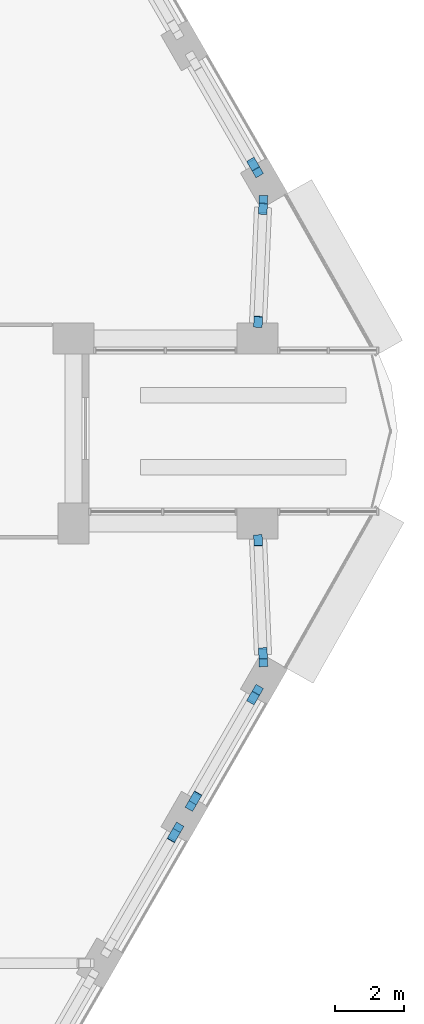
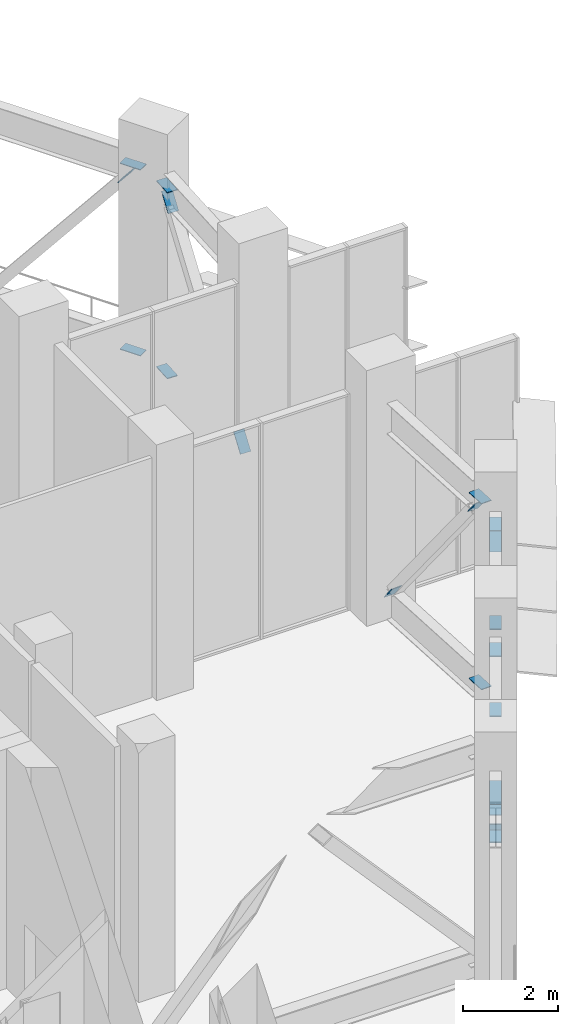
# One storey, part 13 of 19: 20 discrete accessories.
"""IFC4 building model written with IfcOpenShell, lengths in metres."""

from ifc_helpers import new_model, si_unit, direction, frame, origin, origin_2d, place, context, subcontext, project, spatial, rectangle, extrude, material, material_profile, profile_set, type_object, element, save


model = new_model("IFC4")

# Units and contexts
model_context = context("Model", 3, precision=1e-05, world=origin(), true_north=direction((0.0, 1.0)))
body_context = subcontext(model_context, "Body", "Model", "MODEL_VIEW")
ifc_project = project(units=[si_unit("LENGTHUNIT", "METRE"), si_unit("AREAUNIT", "SQUARE_METRE"), si_unit("VOLUMEUNIT", "CUBIC_METRE"), si_unit("PLANEANGLEUNIT", "RADIAN"), si_unit("MASSUNIT", "GRAM", prefix="KILO")], contexts=[model_context])

# Site, building, storey
site_placement = place(None, origin())
site = spatial("IfcSite", under=ifc_project, at=site_placement, CompositionType="ELEMENT")
building_placement = place(site_placement, origin())
building = spatial("IfcBuilding", under=site, at=building_placement, Name="Nakaniwa Court", CompositionType="ELEMENT")
storey_placement = place(building_placement, frame((0.0, 0.0, 219.60009765625)))
storey = spatial("IfcBuildingStorey", under=building, at=storey_placement, Name="S4", CompositionType="ELEMENT", Elevation=219.60009765625)

# Discrete accessories
ifc_material = material(Name="Steel Grade 350", Category="steel")
ifc_material_profile = material_profile(ifc_material, rectangle(XDim=0.25, YDim=0.02001953125, at=origin_2d()), Name="Truss end gusset plate 250x20")
ifc_profile_set = profile_set([ifc_material_profile], Name="Steel Grade 350")
discrete_accessory_type = type_object("IfcDiscreteAccessoryType", Name="Truss end gusset plate 250x20", PredefinedType="BRACKET", material=ifc_profile_set)
for number, where, z_axis, x_axis, name in (
    (1, (98.764404296875, 68.100830078125, 0.39599609375), (0.500131122175, 0.865949687125, 0.0), (-0.865949687125, 0.500131122175, 0.0), "Gusset plate GU-526"),
    (2, (98.764404296875, 68.100830078125, 5.19384765625), (0.500131122175, 0.865949687125, 0.0), (-0.865949687125, 0.500131122175, 0.0), "Gusset plate GU-528"),
):
    element("IfcDiscreteAccessory", number, at=place(storey_placement, frame(where, z_axis=z_axis, x_axis=x_axis)), inside=storey, type_object=discrete_accessory_type, Name=name, PredefinedType="BRACKET", context=body_context, shape_type="SweptSolid", body=[
        extrude(rectangle(XDim=0.25, YDim=0.02001953125, at=origin_2d()), origin(), (0.0, 0.0, 1.0), 0.499755859375),
    ])
for number, where, z_axis, x_axis, name in (
    (3, (98.73974609375, 68.05810546875, 0.904296875), (0.330624506873, 0.573342941017, -0.749643453544), (-0.866283845548, 0.499552098327, 0.0), "Gusset plate GU-530"),
    (4, (99.514404296875, 69.39990234375, 0.39599609375), (-0.499919672301, -0.866071776036, 0.0), (0.866071776036, -0.499919672301, 0.0), "Gusset plate GU-531"),
):
    element("IfcDiscreteAccessory", number, at=place(storey_placement, frame(where, z_axis=z_axis, x_axis=x_axis)), inside=storey, type_object=discrete_accessory_type, Name=name, PredefinedType="BRACKET", context=body_context, shape_type="SweptSolid", body=[
        extrude(rectangle(XDim=0.25, YDim=0.02001953125, at=origin_2d()), origin(), (0.0, 0.0, 1.0), 0.5),
    ])
discrete_accessory_1_placement = place(storey_placement, frame((101.083984375, 72.118408203125, 0.39599609375), z_axis=(0.500131122175, 0.865949687125, 0.0), x_axis=(-0.865949687125, 0.500131122175, 0.0)))
element("IfcDiscreteAccessory", 5, at=discrete_accessory_1_placement, inside=storey, type_object=discrete_accessory_type, Name="Gusset plate GU-532", PredefinedType="BRACKET", context=body_context, shape_type="SweptSolid", body=[
    extrude(rectangle(XDim=0.25, YDim=0.02001953125, at=origin_2d()), origin(), (0.0, 0.0, 1.0), 0.499755859375),
])
discrete_accessory_2_placement = place(storey_placement, frame((99.514404296875, 69.39990234375, 5.19384765625), z_axis=(-0.499919672301, -0.866071776036, 0.0), x_axis=(0.866071776036, -0.499919672301, 0.0)))
element("IfcDiscreteAccessory", 6, at=discrete_accessory_2_placement, inside=storey, type_object=discrete_accessory_type, Name="Gusset plate GU-533", PredefinedType="BRACKET", context=body_context, shape_type="SweptSolid", body=[
    extrude(rectangle(XDim=0.25, YDim=0.02001953125, at=origin_2d()), origin(), (0.0, 0.0, 1.0), 0.5),
])
discrete_accessory_3_placement = place(storey_placement, frame((101.083984375, 72.118408203125, 5.19384765625), z_axis=(0.500131122175, 0.865949687125, 0.0), x_axis=(-0.865949687125, 0.500131122175, 0.0)))
element("IfcDiscreteAccessory", 7, at=discrete_accessory_3_placement, inside=storey, type_object=discrete_accessory_type, Name="Gusset plate GU-534", PredefinedType="BRACKET", context=body_context, shape_type="SweptSolid", body=[
    extrude(rectangle(XDim=0.25, YDim=0.02001953125, at=origin_2d()), origin(), (0.0, 0.0, 1.0), 0.499755859375),
])
for number, where, z_axis, x_axis, name in (
    (8, (99.53662109375, 69.438232421875, 0.908447265625), (-0.314523584368, -0.544555584737, -0.777517929059), (0.865939822254, -0.500148202271, 0.0), "Gusset plate GU-535"),
    (9, (101.061767578125, 72.079833984375, 4.681396484375), (0.314439930852, 0.544899010607, 0.777311133411), (-0.866133898465, 0.499812034598, 0.0), "Gusset plate GU-536"),
    (10, (101.421875, 73.628173828125, 0.39599609375), (0.04297102447, -0.999076318935, 0.0), (0.999076318935, 0.04297102447, 0.0), "Gusset plate GU-537"),
    (11, (101.421875, 73.628173828125, 5.19384765625), (0.04297102447, -0.999076318935, 0.0), (0.999076318935, 0.04297102447, 0.0), "Gusset plate GU-538"),
    (12, (101.420166015625, 73.67138671875, 4.680419921875), (0.026366942333, -0.620599698239, 0.783684119335), (0.999098680107, 0.042447937628, 0.0), "Gusset plate GU-539"),
    (13, (101.29150390625, 76.656982421875, 0.909423828125), (-0.026366942333, 0.620599698239, -0.783684119335), (-0.999098680107, -0.042447937628, 0.0), "Gusset plate GU-540"),
    (14, (101.421875, 86.371826171875, 0.39599609375), (0.04297102447, 0.999076318935, 0.0), (-0.999076318935, 0.04297102447, 0.0), "Gusset plate GU-541"),
    (15, (101.421875, 86.371826171875, 5.19384765625), (0.04297102447, 0.999076318935, 0.0), (-0.999076318935, 0.04297102447, 0.0), "Gusset plate GU-542"),
    (16, (101.29150390625, 83.343017578125, 0.909423828125), (-0.026366942333, -0.620599698239, -0.783684119335), (0.999098680107, -0.042447937628, 0.0), "Gusset plate GU-543"),
    (17, (101.420166015625, 86.32861328125, 4.680419921875), (0.026366942333, 0.620599698239, 0.783684119335), (-0.999098680107, 0.042447937628, 0.0), "Gusset plate GU-544"),
):
    element("IfcDiscreteAccessory", number, at=place(storey_placement, frame(where, z_axis=z_axis, x_axis=x_axis)), inside=storey, type_object=discrete_accessory_type, Name=name, PredefinedType="BRACKET", context=body_context, shape_type="SweptSolid", body=[
        extrude(rectangle(XDim=0.25, YDim=0.02001953125, at=origin_2d()), origin(), (0.0, 0.0, 1.0), 0.5),
    ])
for number, where, z_axis, x_axis, name in (
    (18, (101.083984375, 87.881591796875, 0.39599609375), (0.500131122175, -0.865949687125, 0.0), (0.865949687125, 0.500131122175, 0.0), "Gusset plate GU-545"),
    (19, (101.083984375, 87.881591796875, 5.19384765625), (0.500131122175, -0.865949687125, 0.0), (0.865949687125, 0.500131122175, 0.0), "Gusset plate GU-547"),
):
    element("IfcDiscreteAccessory", number, at=place(storey_placement, frame(where, z_axis=z_axis, x_axis=x_axis)), inside=storey, type_object=discrete_accessory_type, Name=name, PredefinedType="BRACKET", context=body_context, shape_type="SweptSolid", body=[
        extrude(rectangle(XDim=0.25, YDim=0.02001953125, at=origin_2d()), origin(), (0.0, 0.0, 1.0), 0.499755859375),
    ])
discrete_accessory_4_placement = place(storey_placement, frame((101.061767578125, 87.920166015625, 4.681396484375), z_axis=(0.314439930852, -0.544899010607, 0.777311133411), x_axis=(0.866133898465, 0.499812034598, 0.0)))
element("IfcDiscreteAccessory", 20, at=discrete_accessory_4_placement, inside=storey, type_object=discrete_accessory_type, Name="Gusset plate GU-549", PredefinedType="BRACKET", context=body_context, shape_type="SweptSolid", body=[
    extrude(rectangle(XDim=0.25, YDim=0.02001953125, at=origin_2d()), origin(), (0.0, 0.0, 1.0), 0.5),
])

save(model, "model.ifc")
